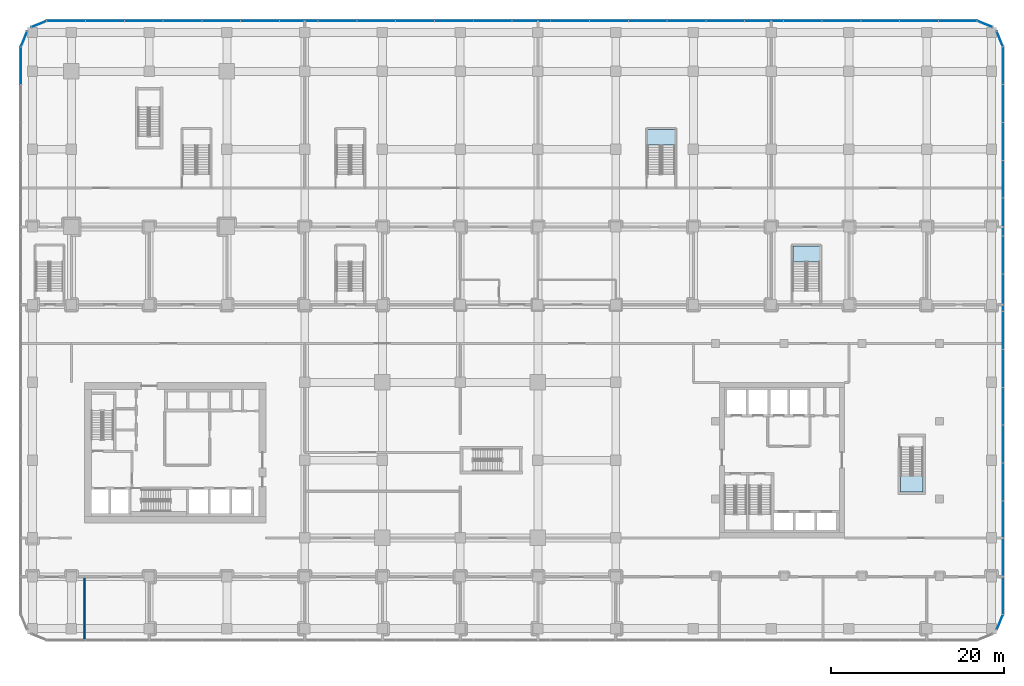
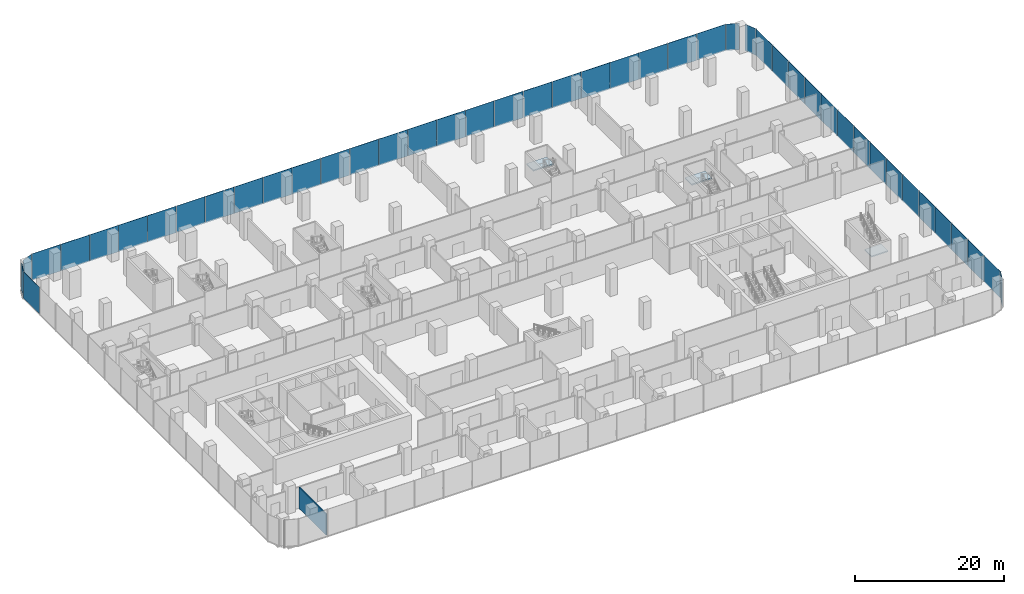
# One storey, part 27 of 43: 45 plates, 3 slabs, 1 wall, 11 elements without a shape of their own.
"""IFC4 building model written with IfcOpenShell, lengths in metres."""

from ifc_helpers import new_model, si_unit, direction, frame, frame_2d, origin, origin_2d, place, context, subcontext, project, spatial, polyline, rectangle, outline, extrude, material, layer, layer_set, type_object, element, aggregate, save


model = new_model("IFC4")

# Units and contexts
model_context = context("Model", 3, precision=1e-05, world=origin(), true_north=direction((0.0, 1.0)))
body_context = subcontext(model_context, "Body", "Model", "MODEL_VIEW")
ifc_project = project(units=[si_unit("LENGTHUNIT", "METRE"), si_unit("AREAUNIT", "SQUARE_METRE"), si_unit("VOLUMEUNIT", "CUBIC_METRE"), si_unit("PLANEANGLEUNIT", "RADIAN"), si_unit("MASSUNIT", "GRAM", prefix="KILO")], contexts=[model_context])

# Site, building, storey
site_placement = place(None, origin())
site = spatial("IfcSite", under=ifc_project, at=site_placement, CompositionType="ELEMENT")
building_placement = place(site_placement, origin())
building = spatial("IfcBuilding", under=site, at=building_placement, Name="Plateau Cross Towers", CompositionType="ELEMENT")
storey_placement = place(building_placement, frame((0.0, 0.0, 12.800048828125)))
storey = spatial("IfcBuildingStorey", under=building, at=storey_placement, Name="L02", CompositionType="ELEMENT", Elevation=12.800048828125)

# Curtain wall, plate
ifc_material_1 = material(Name="Dark low-iron laminated glass", Category="glass")
ifc_layer_1 = layer(ifc_material_1, 0.300048828125)
ifc_layer_set_1 = layer_set([ifc_layer_1], Name="Dark low-iron laminated glass")
curtain_wall_type = type_object("IfcCurtainWallType", Name="Curtain wall structural silicone CW-C", PredefinedType="NOTDEFINED", material=ifc_layer_set_1)
curtain_wall_1_placement = place(storey_placement, origin())
curtain_wall_1 = element("IfcCurtainWall", 1, at=curtain_wall_1_placement, inside=storey, type_object=curtain_wall_type, Name="ENV/P/L02/P1071_-106", PredefinedType="NOTDEFINED")
ifc_layer_2 = layer(ifc_material_1, 0.0439453125)
ifc_layer_set_2 = layer_set([ifc_layer_2], Name="Dark low-iron laminated glass")
plate_type = type_object("IfcPlateType", Name="Glass panel 44 structural silicone", PredefinedType="CURTAIN_PANEL", material=ifc_layer_set_2)
plate_1_placement = place(storey_placement, frame((107.485107421875, -9.731201171875, -0.2001953125), z_axis=(0.0, 0.0, 1.0), x_axis=(0.382683612978, 0.923879457699, 0.0)))
plate_1 = element("IfcPlate", 2, at=plate_1_placement, type_object=plate_type, Name="CW-C panel 1", PredefinedType="CURTAIN_PANEL", context=body_context, shape_type="SweptSolid", body=[
    extrude(rectangle(XDim=1.857666015625, YDim=0.0439453125, at=origin_2d()), origin(), (0.0, 0.0, 1.0), 4.35009765625),
])
aggregate(curtain_wall_1, [plate_1])

# Curtain wall, plates
curtain_wall_2_placement = place(storey_placement, origin())
curtain_wall_2 = element("IfcCurtainWall", 3, at=curtain_wall_2_placement, inside=storey, type_object=curtain_wall_type, Name="ENV/P/L02/P1078_-88", PredefinedType="NOTDEFINED")
plate_2_placement = place(storey_placement, frame((107.85009765625, -6.659912109375, -0.2001953125), z_axis=(0.0, 0.0, 1.0), x_axis=(0.0, 1.0, 0.0)))
plate_2 = element("IfcPlate", 4, at=plate_2_placement, type_object=plate_type, Name="CW-C panel 1", PredefinedType="CURTAIN_PANEL", context=body_context, shape_type="SweptSolid", body=[
    extrude(rectangle(XDim=4.330078125, YDim=0.0439453125, at=origin_2d()), origin(), (0.0, 0.0, 1.0), 4.35009765625),
])
plate_3_placement = place(storey_placement, frame((107.85009765625, -2.280029296875, -0.2001953125), z_axis=(0.0, 0.0, 1.0), x_axis=(0.0, 1.0, 0.0)))
plate_3 = element("IfcPlate", 5, at=plate_3_placement, type_object=plate_type, Name="CW-C panel 2", PredefinedType="CURTAIN_PANEL", context=body_context, shape_type="SweptSolid", body=[
    extrude(rectangle(XDim=4.330078125, YDim=0.0439453125, at=origin_2d()), origin(), (0.0, 0.0, 1.0), 4.35009765625),
])
plate_4_placement = place(storey_placement, frame((107.85009765625, 2.10009765625, -0.2001953125), z_axis=(0.0, 0.0, 1.0), x_axis=(0.0, 1.0, 0.0)))
plate_4 = element("IfcPlate", 6, at=plate_4_placement, type_object=plate_type, Name="CW-C panel 3", PredefinedType="CURTAIN_PANEL", context=body_context, shape_type="SweptSolid", body=[
    extrude(rectangle(XDim=4.330078125, YDim=0.0439453125, at=origin_2d()), origin(), (0.0, 0.0, 1.0), 4.35009765625),
])
plate_5_placement = place(storey_placement, frame((107.85009765625, 6.47998046875, -0.2001953125), z_axis=(0.0, 0.0, 1.0), x_axis=(0.0, 1.0, 0.0)))
plate_5 = element("IfcPlate", 7, at=plate_5_placement, type_object=plate_type, Name="CW-C panel 4", PredefinedType="CURTAIN_PANEL", context=body_context, shape_type="SweptSolid", body=[
    extrude(rectangle(XDim=4.330078125, YDim=0.0439453125, at=origin_2d()), origin(), (0.0, 0.0, 1.0), 4.35009765625),
])
plate_6_placement = place(storey_placement, frame((107.85009765625, 10.860107421875, -0.2001953125), z_axis=(0.0, 0.0, 1.0), x_axis=(0.0, 1.0, 0.0)))
plate_6 = element("IfcPlate", 8, at=plate_6_placement, type_object=plate_type, Name="CW-C panel 5", PredefinedType="CURTAIN_PANEL", context=body_context, shape_type="SweptSolid", body=[
    extrude(rectangle(XDim=4.330078125, YDim=0.0439453125, at=origin_2d()), origin(), (0.0, 0.0, 1.0), 4.35009765625),
])
plate_7_placement = place(storey_placement, frame((107.85009765625, 15.239990234375, -0.2001953125), z_axis=(0.0, 0.0, 1.0), x_axis=(0.0, 1.0, 0.0)))
plate_7 = element("IfcPlate", 9, at=plate_7_placement, type_object=plate_type, Name="CW-C panel 6", PredefinedType="CURTAIN_PANEL", context=body_context, shape_type="SweptSolid", body=[
    extrude(rectangle(XDim=4.330078125, YDim=0.0439453125, at=origin_2d()), origin(), (0.0, 0.0, 1.0), 4.35009765625),
])
plate_8_placement = place(storey_placement, frame((107.85009765625, 19.6201171875, -0.2001953125), z_axis=(0.0, 0.0, 1.0), x_axis=(0.0, 1.0, 0.0)))
plate_8 = element("IfcPlate", 10, at=plate_8_placement, type_object=plate_type, Name="CW-C panel 7", PredefinedType="CURTAIN_PANEL", context=body_context, shape_type="SweptSolid", body=[
    extrude(rectangle(XDim=4.330078125, YDim=0.0439453125, at=origin_2d()), origin(), (0.0, 0.0, 1.0), 4.35009765625),
])
plate_9_placement = place(storey_placement, frame((107.85009765625, 24.0, -0.2001953125), z_axis=(0.0, 0.0, 1.0), x_axis=(0.0, 1.0, 0.0)))
plate_9 = element("IfcPlate", 11, at=plate_9_placement, type_object=plate_type, Name="CW-C panel 8", PredefinedType="CURTAIN_PANEL", context=body_context, shape_type="SweptSolid", body=[
    extrude(rectangle(XDim=4.330078125, YDim=0.0439453125, at=origin_2d()), origin(), (0.0, 0.0, 1.0), 4.35009765625),
])
plate_10_placement = place(storey_placement, frame((107.85009765625, 28.3798828125, -0.2001953125), z_axis=(0.0, 0.0, 1.0), x_axis=(0.0, 1.0, 0.0)))
plate_10 = element("IfcPlate", 12, at=plate_10_placement, type_object=plate_type, Name="CW-C panel 9", PredefinedType="CURTAIN_PANEL", context=body_context, shape_type="SweptSolid", body=[
    extrude(rectangle(XDim=4.330078125, YDim=0.0439453125, at=origin_2d()), origin(), (0.0, 0.0, 1.0), 4.35009765625),
])
plate_11_placement = place(storey_placement, frame((107.85009765625, 32.760009765625, -0.2001953125), z_axis=(0.0, 0.0, 1.0), x_axis=(0.0, 1.0, 0.0)))
plate_11 = element("IfcPlate", 13, at=plate_11_placement, type_object=plate_type, Name="CW-C panel 10", PredefinedType="CURTAIN_PANEL", context=body_context, shape_type="SweptSolid", body=[
    extrude(rectangle(XDim=4.330078125, YDim=0.0439453125, at=origin_2d()), origin(), (0.0, 0.0, 1.0), 4.35009765625),
])
plate_12_placement = place(storey_placement, frame((107.85009765625, 37.139892578125, -0.2001953125), z_axis=(0.0, 0.0, 1.0), x_axis=(0.0, 1.0, 0.0)))
plate_12 = element("IfcPlate", 14, at=plate_12_placement, type_object=plate_type, Name="CW-C panel 11", PredefinedType="CURTAIN_PANEL", context=body_context, shape_type="SweptSolid", body=[
    extrude(rectangle(XDim=4.330078125, YDim=0.0439453125, at=origin_2d()), origin(), (0.0, 0.0, 1.0), 4.35009765625),
])
plate_13_placement = place(storey_placement, frame((107.85009765625, 41.52001953125, -0.2001953125), z_axis=(0.0, 0.0, 1.0), x_axis=(0.0, 1.0, 0.0)))
plate_13 = element("IfcPlate", 15, at=plate_13_placement, type_object=plate_type, Name="CW-C panel 12", PredefinedType="CURTAIN_PANEL", context=body_context, shape_type="SweptSolid", body=[
    extrude(rectangle(XDim=4.330078125, YDim=0.0439453125, at=origin_2d()), origin(), (0.0, 0.0, 1.0), 4.35009765625),
])
plate_14_placement = place(storey_placement, frame((107.85009765625, 45.89990234375, -0.2001953125), z_axis=(0.0, 0.0, 1.0), x_axis=(0.0, 1.0, 0.0)))
plate_14 = element("IfcPlate", 16, at=plate_14_placement, type_object=plate_type, Name="CW-C panel 13", PredefinedType="CURTAIN_PANEL", context=body_context, shape_type="SweptSolid", body=[
    extrude(rectangle(XDim=4.330078125, YDim=0.0439453125, at=origin_2d()), origin(), (0.0, 0.0, 1.0), 4.35009765625),
])
plate_15_placement = place(storey_placement, frame((107.85009765625, 50.280029296875, -0.2001953125), z_axis=(0.0, 0.0, 1.0), x_axis=(0.0, 1.0, 0.0)))
plate_15 = element("IfcPlate", 17, at=plate_15_placement, type_object=plate_type, Name="CW-C panel 14", PredefinedType="CURTAIN_PANEL", context=body_context, shape_type="SweptSolid", body=[
    extrude(rectangle(XDim=4.330078125, YDim=0.0439453125, at=origin_2d()), origin(), (0.0, 0.0, 1.0), 4.35009765625),
])
plate_16_placement = place(storey_placement, frame((107.85009765625, 54.659912109375, -0.2001953125), z_axis=(0.0, 0.0, 1.0), x_axis=(0.0, 1.0, 0.0)))
plate_16 = element("IfcPlate", 18, at=plate_16_placement, type_object=plate_type, Name="CW-C panel 15", PredefinedType="CURTAIN_PANEL", context=body_context, shape_type="SweptSolid", body=[
    extrude(rectangle(XDim=4.330078125, YDim=0.0439453125, at=origin_2d()), origin(), (0.0, 0.0, 1.0), 4.35009765625),
])
aggregate(curtain_wall_2, [plate_2, plate_3, plate_4, plate_5, plate_6, plate_7, plate_8, plate_9, plate_10, plate_11, plate_12, plate_13, plate_14, plate_15, plate_16])

# Curtain wall, plate
curtain_wall_3_placement = place(storey_placement, origin())
curtain_wall_3 = element("IfcCurtainWall", 19, at=curtain_wall_3_placement, inside=storey, type_object=curtain_wall_type, Name="ENV/P/L02/P1078_568", PredefinedType="NOTDEFINED")
plate_17_placement = place(storey_placement, frame((107.485107421875, 57.731201171875, -0.2001953125), z_axis=(0.0, 0.0, 1.0), x_axis=(-0.382683612978, 0.923879457699, 0.0)))
plate_17 = element("IfcPlate", 20, at=plate_17_placement, type_object=plate_type, Name="CW-C panel 1", PredefinedType="CURTAIN_PANEL", context=body_context, shape_type="SweptSolid", body=[
    extrude(rectangle(XDim=1.857666015625, YDim=0.0439453125, at=origin_2d()), origin(), (0.0, 0.0, 1.0), 4.35009765625),
])
aggregate(curtain_wall_3, [plate_17])

curtain_wall_4_placement = place(storey_placement, origin())
curtain_wall_4 = element("IfcCurtainWall", 21, at=curtain_wall_4_placement, inside=storey, type_object=curtain_wall_type, Name="ENV/P/L02/P1066_591", PredefinedType="NOTDEFINED")
plate_18_placement = place(storey_placement, frame((105.731201171875, 59.485107421875, -0.2001953125), z_axis=(0.0, 0.0, 1.0), x_axis=(-0.923879457699, 0.382683612978, 0.0)))
plate_18 = element("IfcPlate", 22, at=plate_18_placement, type_object=plate_type, Name="CW-C panel 1", PredefinedType="CURTAIN_PANEL", context=body_context, shape_type="SweptSolid", body=[
    extrude(rectangle(XDim=1.857666015625, YDim=0.0439453125, at=origin_2d()), origin(), (0.0, 0.0, 1.0), 4.35009765625),
])
aggregate(curtain_wall_4, [plate_18])

# Curtain wall, plates
curtain_wall_5_placement = place(storey_placement, origin())
curtain_wall_5 = element("IfcCurtainWall", 23, at=curtain_wall_5_placement, inside=storey, type_object=curtain_wall_type, Name="ENV/P/L02/P1048_598", PredefinedType="NOTDEFINED")
plate_19_placement = place(storey_placement, frame((102.606201171875, 59.85009765625, -0.2001953125), z_axis=(0.0, 0.0, 1.0), x_axis=(-1.0, 0.0, 0.0)))
plate_19 = element("IfcPlate", 24, at=plate_19_placement, type_object=plate_type, Name="CW-C panel 1", PredefinedType="CURTAIN_PANEL", context=body_context, shape_type="SweptSolid", body=[
    extrude(rectangle(XDim=4.4375, YDim=0.0439453125, at=origin_2d()), origin(), (0.0, 0.0, 1.0), 4.35009765625),
])
plate_20_placement = place(storey_placement, frame((98.11865234375, 59.85009765625, -0.2001953125), z_axis=(0.0, 0.0, 1.0), x_axis=(-1.0, 0.0, 0.0)))
plate_20 = element("IfcPlate", 25, at=plate_20_placement, type_object=plate_type, Name="CW-C panel 2", PredefinedType="CURTAIN_PANEL", context=body_context, shape_type="SweptSolid", body=[
    extrude(rectangle(XDim=4.4375, YDim=0.0439453125, at=origin_2d()), origin(), (0.0, 0.0, 1.0), 4.35009765625),
])
plate_21_placement = place(storey_placement, frame((93.63134765625, 59.85009765625, -0.2001953125), z_axis=(0.0, 0.0, 1.0), x_axis=(-1.0, 0.0, 0.0)))
plate_21 = element("IfcPlate", 26, at=plate_21_placement, type_object=plate_type, Name="CW-C panel 3", PredefinedType="CURTAIN_PANEL", context=body_context, shape_type="SweptSolid", body=[
    extrude(rectangle(XDim=4.4375, YDim=0.0439453125, at=origin_2d()), origin(), (0.0, 0.0, 1.0), 4.35009765625),
])
plate_22_placement = place(storey_placement, frame((89.143798828125, 59.85009765625, -0.2001953125), z_axis=(0.0, 0.0, 1.0), x_axis=(-1.0, 0.0, 0.0)))
plate_22 = element("IfcPlate", 27, at=plate_22_placement, type_object=plate_type, Name="CW-C panel 4", PredefinedType="CURTAIN_PANEL", context=body_context, shape_type="SweptSolid", body=[
    extrude(rectangle(XDim=4.4375, YDim=0.0439453125, at=origin_2d()), origin(), (0.0, 0.0, 1.0), 4.35009765625),
])
plate_23_placement = place(storey_placement, frame((84.65625, 59.85009765625, -0.2001953125), z_axis=(0.0, 0.0, 1.0), x_axis=(-1.0, 0.0, 0.0)))
plate_23 = element("IfcPlate", 28, at=plate_23_placement, type_object=plate_type, Name="CW-C panel 5", PredefinedType="CURTAIN_PANEL", context=body_context, shape_type="SweptSolid", body=[
    extrude(rectangle(XDim=4.4375, YDim=0.0439453125, at=origin_2d()), origin(), (0.0, 0.0, 1.0), 4.35009765625),
])
plate_24_placement = place(storey_placement, frame((80.168701171875, 59.85009765625, -0.2001953125), z_axis=(0.0, 0.0, 1.0), x_axis=(-1.0, 0.0, 0.0)))
plate_24 = element("IfcPlate", 29, at=plate_24_placement, type_object=plate_type, Name="CW-C panel 6", PredefinedType="CURTAIN_PANEL", context=body_context, shape_type="SweptSolid", body=[
    extrude(rectangle(XDim=4.4375, YDim=0.0439453125, at=origin_2d()), origin(), (0.0, 0.0, 1.0), 4.35009765625),
])
plate_25_placement = place(storey_placement, frame((75.68115234375, 59.85009765625, -0.2001953125), z_axis=(0.0, 0.0, 1.0), x_axis=(-1.0, 0.0, 0.0)))
plate_25 = element("IfcPlate", 30, at=plate_25_placement, type_object=plate_type, Name="CW-C panel 7", PredefinedType="CURTAIN_PANEL", context=body_context, shape_type="SweptSolid", body=[
    extrude(rectangle(XDim=4.4375, YDim=0.0439453125, at=origin_2d()), origin(), (0.0, 0.0, 1.0), 4.35009765625),
])
plate_26_placement = place(storey_placement, frame((71.19384765625, 59.85009765625, -0.2001953125), z_axis=(0.0, 0.0, 1.0), x_axis=(-1.0, 0.0, 0.0)))
plate_26 = element("IfcPlate", 31, at=plate_26_placement, type_object=plate_type, Name="CW-C panel 8", PredefinedType="CURTAIN_PANEL", context=body_context, shape_type="SweptSolid", body=[
    extrude(rectangle(XDim=4.4375, YDim=0.0439453125, at=origin_2d()), origin(), (0.0, 0.0, 1.0), 4.35009765625),
])
plate_27_placement = place(storey_placement, frame((66.706298828125, 59.85009765625, -0.2001953125), z_axis=(0.0, 0.0, 1.0), x_axis=(-1.0, 0.0, 0.0)))
plate_27 = element("IfcPlate", 32, at=plate_27_placement, type_object=plate_type, Name="CW-C panel 9", PredefinedType="CURTAIN_PANEL", context=body_context, shape_type="SweptSolid", body=[
    extrude(rectangle(XDim=4.4375, YDim=0.0439453125, at=origin_2d()), origin(), (0.0, 0.0, 1.0), 4.35009765625),
])
plate_28_placement = place(storey_placement, frame((62.21875, 59.85009765625, -0.2001953125), z_axis=(0.0, 0.0, 1.0), x_axis=(-1.0, 0.0, 0.0)))
plate_28 = element("IfcPlate", 33, at=plate_28_placement, type_object=plate_type, Name="CW-C panel 10", PredefinedType="CURTAIN_PANEL", context=body_context, shape_type="SweptSolid", body=[
    extrude(rectangle(XDim=4.4375, YDim=0.0439453125, at=origin_2d()), origin(), (0.0, 0.0, 1.0), 4.35009765625),
])
plate_29_placement = place(storey_placement, frame((57.731201171875, 59.85009765625, -0.2001953125), z_axis=(0.0, 0.0, 1.0), x_axis=(-1.0, 0.0, 0.0)))
plate_29 = element("IfcPlate", 34, at=plate_29_placement, type_object=plate_type, Name="CW-C panel 11", PredefinedType="CURTAIN_PANEL", context=body_context, shape_type="SweptSolid", body=[
    extrude(rectangle(XDim=4.4375, YDim=0.0439453125, at=origin_2d()), origin(), (0.0, 0.0, 1.0), 4.35009765625),
])
plate_30_placement = place(storey_placement, frame((53.24365234375, 59.85009765625, -0.2001953125), z_axis=(0.0, 0.0, 1.0), x_axis=(-1.0, 0.0, 0.0)))
plate_30 = element("IfcPlate", 35, at=plate_30_placement, type_object=plate_type, Name="CW-C panel 12", PredefinedType="CURTAIN_PANEL", context=body_context, shape_type="SweptSolid", body=[
    extrude(rectangle(XDim=4.4375, YDim=0.0439453125, at=origin_2d()), origin(), (0.0, 0.0, 1.0), 4.35009765625),
])
plate_31_placement = place(storey_placement, frame((48.75634765625, 59.85009765625, -0.2001953125), z_axis=(0.0, 0.0, 1.0), x_axis=(-1.0, 0.0, 0.0)))
plate_31 = element("IfcPlate", 36, at=plate_31_placement, type_object=plate_type, Name="CW-C panel 13", PredefinedType="CURTAIN_PANEL", context=body_context, shape_type="SweptSolid", body=[
    extrude(rectangle(XDim=4.4375, YDim=0.0439453125, at=origin_2d()), origin(), (0.0, 0.0, 1.0), 4.35009765625),
])
plate_32_placement = place(storey_placement, frame((44.268798828125, 59.85009765625, -0.2001953125), z_axis=(0.0, 0.0, 1.0), x_axis=(-1.0, 0.0, 0.0)))
plate_32 = element("IfcPlate", 37, at=plate_32_placement, type_object=plate_type, Name="CW-C panel 14", PredefinedType="CURTAIN_PANEL", context=body_context, shape_type="SweptSolid", body=[
    extrude(rectangle(XDim=4.4375, YDim=0.0439453125, at=origin_2d()), origin(), (0.0, 0.0, 1.0), 4.35009765625),
])
plate_33_placement = place(storey_placement, frame((39.78125, 59.85009765625, -0.2001953125), z_axis=(0.0, 0.0, 1.0), x_axis=(-1.0, 0.0, 0.0)))
plate_33 = element("IfcPlate", 38, at=plate_33_placement, type_object=plate_type, Name="CW-C panel 15", PredefinedType="CURTAIN_PANEL", context=body_context, shape_type="SweptSolid", body=[
    extrude(rectangle(XDim=4.4375, YDim=0.0439453125, at=origin_2d()), origin(), (0.0, 0.0, 1.0), 4.35009765625),
])
plate_34_placement = place(storey_placement, frame((35.293701171875, 59.85009765625, -0.2001953125), z_axis=(0.0, 0.0, 1.0), x_axis=(-1.0, 0.0, 0.0)))
plate_34 = element("IfcPlate", 39, at=plate_34_placement, type_object=plate_type, Name="CW-C panel 16", PredefinedType="CURTAIN_PANEL", context=body_context, shape_type="SweptSolid", body=[
    extrude(rectangle(XDim=4.4375, YDim=0.0439453125, at=origin_2d()), origin(), (0.0, 0.0, 1.0), 4.35009765625),
])
plate_35_placement = place(storey_placement, frame((30.80615234375, 59.85009765625, -0.2001953125), z_axis=(0.0, 0.0, 1.0), x_axis=(-1.0, 0.0, 0.0)))
plate_35 = element("IfcPlate", 40, at=plate_35_placement, type_object=plate_type, Name="CW-C panel 17", PredefinedType="CURTAIN_PANEL", context=body_context, shape_type="SweptSolid", body=[
    extrude(rectangle(XDim=4.4375, YDim=0.0439453125, at=origin_2d()), origin(), (0.0, 0.0, 1.0), 4.35009765625),
])
plate_36_placement = place(storey_placement, frame((26.31884765625, 59.85009765625, -0.2001953125), z_axis=(0.0, 0.0, 1.0), x_axis=(-1.0, 0.0, 0.0)))
plate_36 = element("IfcPlate", 41, at=plate_36_placement, type_object=plate_type, Name="CW-C panel 18", PredefinedType="CURTAIN_PANEL", context=body_context, shape_type="SweptSolid", body=[
    extrude(rectangle(XDim=4.4375, YDim=0.0439453125, at=origin_2d()), origin(), (0.0, 0.0, 1.0), 4.35009765625),
])
plate_37_placement = place(storey_placement, frame((21.831298828125, 59.85009765625, -0.2001953125), z_axis=(0.0, 0.0, 1.0), x_axis=(-1.0, 0.0, 0.0)))
plate_37 = element("IfcPlate", 42, at=plate_37_placement, type_object=plate_type, Name="CW-C panel 19", PredefinedType="CURTAIN_PANEL", context=body_context, shape_type="SweptSolid", body=[
    extrude(rectangle(XDim=4.4375, YDim=0.0439453125, at=origin_2d()), origin(), (0.0, 0.0, 1.0), 4.35009765625),
])
plate_38_placement = place(storey_placement, frame((17.34375, 59.85009765625, -0.2001953125), z_axis=(0.0, 0.0, 1.0), x_axis=(-1.0, 0.0, 0.0)))
plate_38 = element("IfcPlate", 43, at=plate_38_placement, type_object=plate_type, Name="CW-C panel 20", PredefinedType="CURTAIN_PANEL", context=body_context, shape_type="SweptSolid", body=[
    extrude(rectangle(XDim=4.4375, YDim=0.0439453125, at=origin_2d()), origin(), (0.0, 0.0, 1.0), 4.35009765625),
])
plate_39_placement = place(storey_placement, frame((12.856201171875, 59.85009765625, -0.2001953125), z_axis=(0.0, 0.0, 1.0), x_axis=(-1.0, 0.0, 0.0)))
plate_39 = element("IfcPlate", 44, at=plate_39_placement, type_object=plate_type, Name="CW-C panel 21", PredefinedType="CURTAIN_PANEL", context=body_context, shape_type="SweptSolid", body=[
    extrude(rectangle(XDim=4.4375, YDim=0.0439453125, at=origin_2d()), origin(), (0.0, 0.0, 1.0), 4.35009765625),
])
plate_40_placement = place(storey_placement, frame((8.36865234375, 59.85009765625, -0.2001953125), z_axis=(0.0, 0.0, 1.0), x_axis=(-1.0, 0.0, 0.0)))
plate_40 = element("IfcPlate", 45, at=plate_40_placement, type_object=plate_type, Name="CW-C panel 22", PredefinedType="CURTAIN_PANEL", context=body_context, shape_type="SweptSolid", body=[
    extrude(rectangle(XDim=4.4375, YDim=0.0439453125, at=origin_2d()), origin(), (0.0, 0.0, 1.0), 4.35009765625),
])
plate_41_placement = place(storey_placement, frame((3.88134765625, 59.85009765625, -0.2001953125), z_axis=(0.0, 0.0, 1.0), x_axis=(-1.0, 0.0, 0.0)))
plate_41 = element("IfcPlate", 46, at=plate_41_placement, type_object=plate_type, Name="CW-C panel 23", PredefinedType="CURTAIN_PANEL", context=body_context, shape_type="SweptSolid", body=[
    extrude(rectangle(XDim=4.4375, YDim=0.0439453125, at=origin_2d()), origin(), (0.0, 0.0, 1.0), 4.35009765625),
])
plate_42_placement = place(storey_placement, frame((-0.606201171875, 59.85009765625, -0.2001953125), z_axis=(0.0, 0.0, 1.0), x_axis=(-1.0, 0.0, 0.0)))
plate_42 = element("IfcPlate", 47, at=plate_42_placement, type_object=plate_type, Name="CW-C panel 24", PredefinedType="CURTAIN_PANEL", context=body_context, shape_type="SweptSolid", body=[
    extrude(rectangle(XDim=4.4375, YDim=0.0439453125, at=origin_2d()), origin(), (0.0, 0.0, 1.0), 4.35009765625),
])
aggregate(curtain_wall_5, [plate_19, plate_20, plate_21, plate_22, plate_23, plate_24, plate_25, plate_26, plate_27, plate_28, plate_29, plate_30, plate_31, plate_32, plate_33, plate_34, plate_35, plate_36, plate_37, plate_38, plate_39, plate_40, plate_41, plate_42])

# Curtain wall, plate
curtain_wall_6_placement = place(storey_placement, origin())
curtain_wall_6 = element("IfcCurtainWall", 48, at=curtain_wall_6_placement, inside=storey, type_object=curtain_wall_type, Name="ENV/P/L02/P-28_598", PredefinedType="NOTDEFINED")
plate_43_placement = place(storey_placement, frame((-3.731201171875, 59.485107421875, -0.2001953125), z_axis=(0.0, 0.0, 1.0), x_axis=(-0.923879457699, -0.382683612978, 0.0)))
plate_43 = element("IfcPlate", 49, at=plate_43_placement, type_object=plate_type, Name="CW-C panel 1", PredefinedType="CURTAIN_PANEL", context=body_context, shape_type="SweptSolid", body=[
    extrude(rectangle(XDim=1.857666015625, YDim=0.0439453125, at=origin_2d()), origin(), (0.0, 0.0, 1.0), 4.35009765625),
])
aggregate(curtain_wall_6, [plate_43])

curtain_wall_7_placement = place(storey_placement, origin())
curtain_wall_7 = element("IfcCurtainWall", 50, at=curtain_wall_7_placement, inside=storey, type_object=curtain_wall_type, Name="ENV/P/L02/P-51_586", PredefinedType="NOTDEFINED")
plate_44_placement = place(storey_placement, frame((-5.485107421875, 57.731201171875, -0.2001953125), z_axis=(0.0, 0.0, 1.0), x_axis=(-0.382683612978, -0.923879457699, 0.0)))
plate_44 = element("IfcPlate", 51, at=plate_44_placement, type_object=plate_type, Name="CW-C panel 1", PredefinedType="CURTAIN_PANEL", context=body_context, shape_type="SweptSolid", body=[
    extrude(rectangle(XDim=1.857666015625, YDim=0.0439453125, at=origin_2d()), origin(), (0.0, 0.0, 1.0), 4.35009765625),
])
aggregate(curtain_wall_7, [plate_44])

curtain_wall_8_placement = place(storey_placement, origin())
curtain_wall_8 = element("IfcCurtainWall", 52, at=curtain_wall_8_placement, inside=storey, type_object=curtain_wall_type, Name="ENV/P/L02/P-58_568", PredefinedType="NOTDEFINED")
plate_45_placement = place(storey_placement, frame((-5.85009765625, 54.659912109375, -0.2001953125), z_axis=(0.0, 0.0, 1.0), x_axis=(0.0, -1.0, 0.0)))
plate_45 = element("IfcPlate", 53, at=plate_45_placement, type_object=plate_type, Name="CW-C panel 1", PredefinedType="CURTAIN_PANEL", context=body_context, shape_type="SweptSolid", body=[
    extrude(rectangle(XDim=4.330078125, YDim=0.0439453125, at=origin_2d()), origin(), (0.0, 0.0, 1.0), 4.35009765625),
])
aggregate(curtain_wall_8, [plate_45])

# Stair, slab
ifc_material_2 = material(Name="Concrete C40/50", Category="concrete")
stair_type_1 = type_object("IfcStairType", Name="ST-TWR", PredefinedType="HALF_TURN_STAIR", material=ifc_material_2)
stair_1_placement = place(storey_placement, origin())
stair_1 = element("IfcStair", 54, at=stair_1_placement, inside=storey, type_object=stair_type_1, Name="L02 Protected Exit Stair SB-3", PredefinedType="HALF_TURN_STAIR")
ifc_layer_3 = layer(ifc_material_2, 0.199951171875)
ifc_layer_set_3 = layer_set([ifc_layer_3], Name="Concrete C40/50")
slab_type = type_object("IfcSlabType", Name="SL-LANDING", PredefinedType="LANDING", material=ifc_layer_set_3)
slab_1_placement = place(storey_placement, frame((0.0, 0.0, 2.050048828125)))
slab_1 = element("IfcSlab", 55, at=slab_1_placement, type_object=slab_type, Name="SB-3 landing 1", PredefinedType="LANDING", context=body_context, shape_type="SweptSolid", body=[
    extrude(outline(polyline([(96.0, 7.139892578125), (96.0, 5.300048828125), (98.550048828125, 5.300048828125), (98.550048828125, 7.139892578125), (96.0, 7.139892578125)])), origin(), (0.0, 0.0, 1.0), 0.199951171875),
])
aggregate(stair_1, [slab_1])

stair_type_2 = type_object("IfcStairType", Name="Podium exit stair 1500", PredefinedType="HALF_TURN_STAIR", material=ifc_material_2)
stair_2_placement = place(storey_placement, origin())
stair_2 = element("IfcStair", 56, at=stair_2_placement, inside=storey, type_object=stair_type_2, Name="L02 Exit Stair 3", PredefinedType="HALF_TURN_STAIR")
slab_2_placement = place(storey_placement, frame((0.0, 0.0, 2.050048828125)))
slab_2 = element("IfcSlab", 57, at=slab_2_placement, type_object=slab_type, Name="PS3 landing 1", PredefinedType="LANDING", context=body_context, shape_type="SweptSolid", body=[
    extrude(outline(polyline([(69.85009765625, 45.4599609375), (69.85009765625, 47.300048828125), (66.699951171875, 47.300048828125), (66.699951171875, 45.4599609375), (69.85009765625, 45.4599609375)])), origin(), (0.0, 0.0, 1.0), 0.199951171875),
])
aggregate(stair_2, [slab_2])

stair_3_placement = place(storey_placement, origin())
stair_3 = element("IfcStair", 58, at=stair_3_placement, inside=storey, type_object=stair_type_2, Name="L02 Exit Stair 5", PredefinedType="HALF_TURN_STAIR")
slab_3_placement = place(storey_placement, frame((0.0, 0.0, 2.050048828125)))
slab_3 = element("IfcSlab", 59, at=slab_3_placement, type_object=slab_type, Name="PS5 landing 1", PredefinedType="LANDING", context=body_context, shape_type="SweptSolid", body=[
    extrude(outline(polyline([(86.64990234375, 31.9599609375), (86.64990234375, 33.800048828125), (83.5, 33.800048828125), (83.5, 31.9599609375), (86.64990234375, 31.9599609375)])), origin(), (0.0, 0.0, 1.0), 0.199951171875),
])
aggregate(stair_3, [slab_3])

# Wall
ifc_material_3 = material(Name="Gypsum board on steel studs", Category="steel")
ifc_layer_4 = layer(ifc_material_3, 0.199951171875)
ifc_layer_set_4 = layer_set([ifc_layer_4], Name="Gypsum board on steel studs")
wall_type = type_object("IfcWallType", Name="Podium partition 200", PredefinedType="PARTITIONING", material=ifc_layer_set_4)
wall_placement = place(storey_placement, frame((1.5, -4.60009765625, 0.0), z_axis=(0.0, 0.0, 1.0), x_axis=(0.0, -1.0, 0.0)))
element("IfcWall", 60, at=wall_placement, inside=storey, type_object=wall_type, Name="Partition wall", PredefinedType="PARTITIONING", context=body_context, shape_type="SweptSolid", body=[
    extrude(rectangle(XDim=7.25, YDim=0.199951171875, at=frame_2d((3.625, 0.0))), origin(), (0.0, 0.0, 1.0), 3.449951171875),
])

save(model, "model.ifc")
